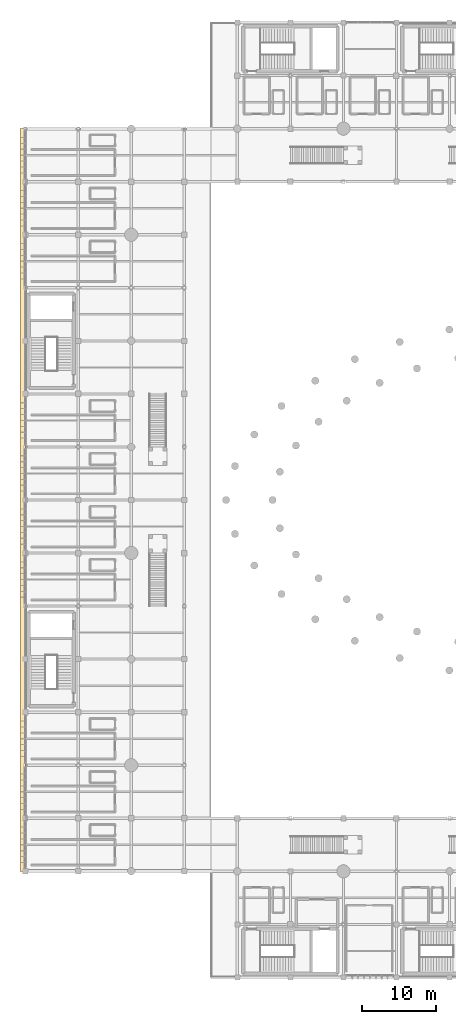
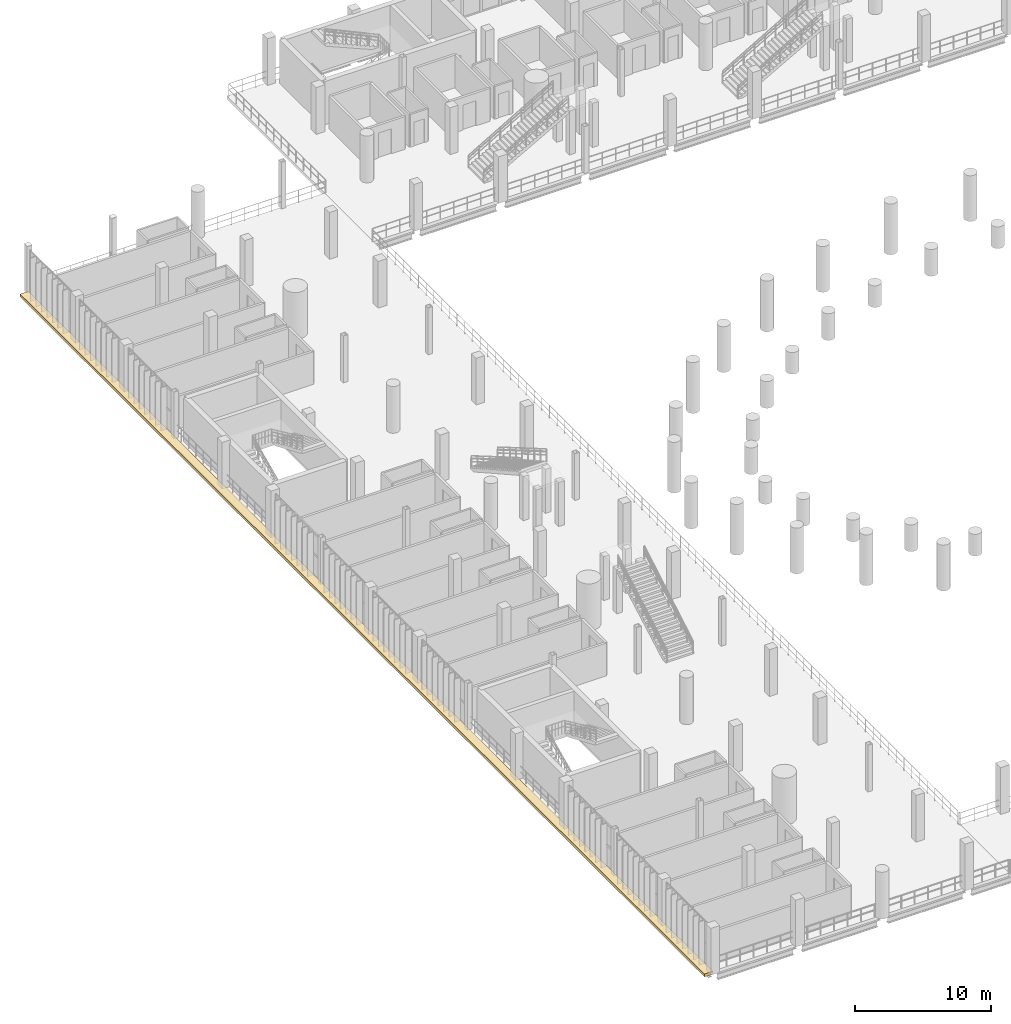
# One storey, part 122 of 130: 1 covering.
"""IFC4 building model written with IfcOpenShell, lengths in metres."""

from ifc_helpers import new_model, si_unit, direction, frame, origin, origin_2d, place, context, subcontext, project, spatial, rectangle, extrude, material, layer, layer_set, type_object, element, save


model = new_model("IFC4")

# Units and contexts
model_context = context("Model", 3, precision=1e-05, world=origin(), true_north=direction((0.0, 1.0)))
body_context = subcontext(model_context, "Body", "Model", "MODEL_VIEW")
ifc_project = project(units=[si_unit("LENGTHUNIT", "METRE"), si_unit("AREAUNIT", "SQUARE_METRE"), si_unit("VOLUMEUNIT", "CUBIC_METRE"), si_unit("PLANEANGLEUNIT", "RADIAN"), si_unit("MASSUNIT", "GRAM", prefix="KILO")], contexts=[model_context])

# Site, building, storey
site_placement = place(None, origin())
site = spatial("IfcSite", under=ifc_project, at=site_placement, CompositionType="ELEMENT")
building_placement = place(site_placement, origin())
building = spatial("IfcBuilding", under=site, at=building_placement, Name="Qandorah Velis Arena", CompositionType="ELEMENT")
storey_placement = place(building_placement, frame((0.0, 0.0, 9.60009765625)))
storey = spatial("IfcBuildingStorey", under=building, at=storey_placement, Name="L02", CompositionType="ELEMENT", Elevation=9.60009765625)

# Covering
ifc_material = material(Name="Precast Riyadh limestone cladding", Category="masonry")
ifc_layer = layer(ifc_material, 0.054931640625)
ifc_layer_set = layer_set([ifc_layer], Name="Precast Riyadh limestone cladding")
covering_type = type_object("IfcCoveringType", Name="ARC-COV-CLAD", PredefinedType="CLADDING", material=ifc_layer_set)
covering_placement = place(storey_placement, frame((-0.340087890625, 64.800048828125, -0.27001953125), z_axis=(0.0, 0.0, 1.0), x_axis=(1.0, 0.0, 0.0)))
element("IfcCovering", 1, at=covering_placement, inside=storey, type_object=covering_type, Name="Sculpted precast solar eyebrow reveal 02", PredefinedType="CLADDING", context=body_context, shape_type="SweptSolid", body=[
    extrude(rectangle(XDim=0.719970703125, YDim=100.800048828125, at=origin_2d()), origin(), (0.0, 0.0, 1.0), 0.260009765625),
])

save(model, "model.ifc")
